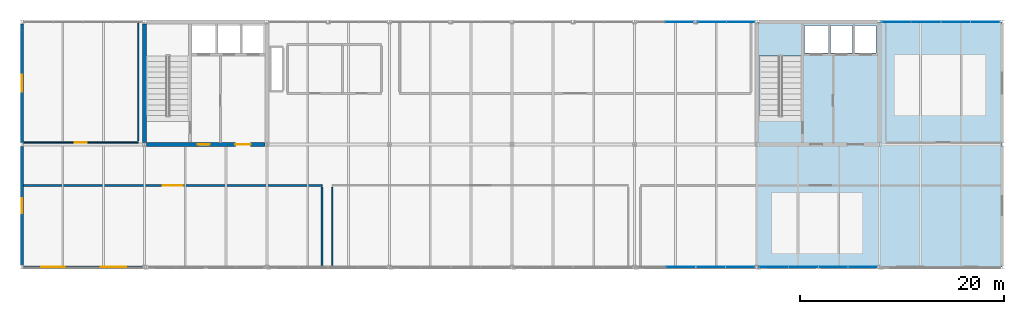
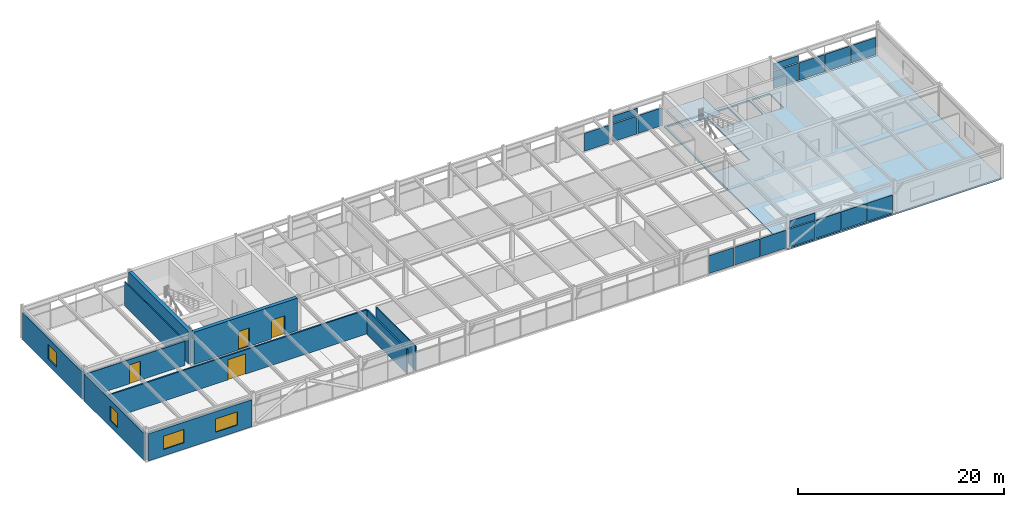
# One storey, part 35 of 40: 17 plates, 10 walls, 4 doors, 4 windows, 2 slabs, 8 openings, 6 elements without a shape of their own.
"""IFC4 building model written with IfcOpenShell, lengths in metres."""

import ifcopenshell
import ifcopenshell.guid

model = None  # the IFC model being written
_history = None  # IfcOwnerHistory: only IFC2X3 demands one
_inside = {}  # id of a spatial element -> (the spatial element, [elements in it])
_under = {}  # id of a project, library or spatial element -> (it, [spatial elements below it])
_declared = {}  # id of a project -> (the project, [libraries it declares])
_typed = {}  # id of a type object -> (the type object, [elements of that type])
_made_of = {}  # id of a material, layer set ... -> (it, [elements and type objects made of it])


def new_model(schema):
    """Start an empty IFC model of exactly this schema.

    Asked for "IFC4X3", IfcOpenShell would pick the latest addendum, in which some entities
    have other attributes; the version numbers below select the first issue.
    IFC2X3 requires an IfcOwnerHistory on every rooted entity: one is made here for all.
    """
    global model, _history
    if schema == "IFC4X3":
        model = ifcopenshell.file(schema_version=(4, 3, 0, 0))
    else:
        model = ifcopenshell.file(schema=schema)
    _inside.clear()
    _under.clear()
    _declared.clear()
    _typed.clear()
    _made_of.clear()
    _history = None
    if model.schema == "IFC2X3":
        org = make("IfcOrganization", Name="unknown")
        user = make(
            "IfcPersonAndOrganization",
            ThePerson=make("IfcPerson", FamilyName="unknown"),
            TheOrganization=org,
        )
        app = make(
            "IfcApplication",
            ApplicationDeveloper=org,
            Version="unknown",
            ApplicationFullName="unknown",
            ApplicationIdentifier="unknown",
        )
        _history = make(
            "IfcOwnerHistory",
            OwningUser=user,
            OwningApplication=app,
            ChangeAction="ADDED",
            CreationDate=0,
        )
    return model


def make(cls, **values):
    """One entity of the class cls with the attributes given. An attribute that is None is left unset."""
    return model.create_entity(
        cls, **{name: value for name, value in values.items() if value is not None}
    )


def rooted(cls, **values):
    """An entity with a GlobalId (a new one), such as an element, a storey or a relation."""
    return make(cls, GlobalId=ifcopenshell.guid.new(), OwnerHistory=_history, **values)


def si_unit(unit_type, name, prefix=None):
    """IfcSIUnit, for example si_unit("LENGTHUNIT", "METRE", prefix="MILLI")."""
    return make("IfcSIUnit", UnitType=unit_type, Prefix=prefix, Name=name)


def assignment(units):
    """IfcUnitAssignment: the units of a project."""
    return None if units is None else make("IfcUnitAssignment", Units=units)


def point(xyz):
    """IfcCartesianPoint."""
    return None if xyz is None else make("IfcCartesianPoint", Coordinates=xyz)


def direction(xyz):
    """IfcDirection."""
    return None if xyz is None else make("IfcDirection", DirectionRatios=xyz)


def frame(location, z_axis=None, x_axis=None):
    """IfcAxis2Placement3D, a coordinate frame: its origin and axes. An axis left out is left unset."""
    return make(
        "IfcAxis2Placement3D",
        Location=point(location),
        Axis=direction(z_axis),
        RefDirection=direction(x_axis),
    )


def frame_2d(location, x_axis=None):
    """IfcAxis2Placement2D, a coordinate frame in the plane: its origin and x axis."""
    return make(
        "IfcAxis2Placement2D", Location=point(location), RefDirection=direction(x_axis)
    )


def origin():
    """The frame at (0, 0, 0) with its axes left unset."""
    return frame((0.0, 0.0, 0.0))


def origin_2d():
    """The frame at (0, 0) in the plane with its x axis left unset."""
    return frame_2d((0.0, 0.0))


def place(relative_to, where):
    """IfcLocalPlacement: puts the frame where relative to a parent placement (None: the world)."""
    return make(
        "IfcLocalPlacement", PlacementRelTo=relative_to, RelativePlacement=where
    )


def context(
    kind, dimensions, precision=None, world=None, true_north=None, identifier=None
):
    """IfcGeometricRepresentationContext, for example the 3D "Model" context."""
    return make(
        "IfcGeometricRepresentationContext",
        ContextIdentifier=identifier,
        ContextType=kind,
        CoordinateSpaceDimension=dimensions,
        Precision=precision,
        WorldCoordinateSystem=world,
        TrueNorth=true_north,
    )


def subcontext(parent, identifier, kind, view, scale=None):
    """IfcGeometricRepresentationSubContext, for example "Body" below "Model"."""
    return make(
        "IfcGeometricRepresentationSubContext",
        ContextIdentifier=identifier,
        ContextType=kind,
        ParentContext=parent,
        TargetScale=scale,
        TargetView=view,
    )


def project(units=None, contexts=None):
    """IfcProject with its units and contexts."""
    return rooted(
        "IfcProject",
        Name="project",
        RepresentationContexts=contexts,
        UnitsInContext=assignment(units),
    )


def spatial(cls, under=None, at=None, **own):
    """A site, building, storey or space (cls), placed at a placement, below another one or the project."""
    s = rooted(cls, ObjectPlacement=at, **own)
    if under is not None:
        _under.setdefault(under.id(), (under, []))[1].append(s)
    return s


def polyline(points):
    """IfcPolyline through the points."""
    return make("IfcPolyline", Points=[point(p) for p in points])


def profile(cls, at=None, kind="AREA", **sizes):
    """A parametric profile (cls). Its sizes go by their IFC names, for example OverallWidth=200.0."""
    return make(cls, ProfileType=kind, Position=at, **sizes)


def rectangle(**sizes):
    """IfcRectangleProfileDef."""
    return profile("IfcRectangleProfileDef", **sizes)


def outline(outer, holes=None, kind="AREA"):
    """IfcArbitraryClosedProfileDef: a profile drawn as a closed curve; with holes, ...WithVoids."""
    if holes is None:
        return make("IfcArbitraryClosedProfileDef", ProfileType=kind, OuterCurve=outer)
    return make(
        "IfcArbitraryProfileDefWithVoids",
        ProfileType=kind,
        OuterCurve=outer,
        InnerCurves=holes,
    )


def extrude(swept, where, along, depth):
    """IfcExtrudedAreaSolid: the profile swept, set in the frame where, extruded along a direction by depth."""
    return make(
        "IfcExtrudedAreaSolid",
        SweptArea=swept,
        Position=where,
        ExtrudedDirection=direction(along),
        Depth=depth,
    )


def shape(context_of_items, identifier, shape_type, items):
    """IfcShapeRepresentation: the items that make up one representation, for example the "Body"."""
    return make(
        "IfcShapeRepresentation",
        ContextOfItems=context_of_items,
        RepresentationIdentifier=identifier,
        RepresentationType=shape_type,
        Items=items,
    )


def material(Name=None, Category=None):
    """IfcMaterial."""
    return make("IfcMaterial", Name=Name, Category=Category)


def layer(
    of_material, thickness, ventilated=None, Name=None, Category=None, Priority=None
):
    """IfcMaterialLayer: one layer of a wall or slab, of a material (None: an air gap)."""
    return make(
        "IfcMaterialLayer",
        Material=of_material,
        LayerThickness=thickness,
        IsVentilated=ventilated,
        Name=Name,
        Category=Category,
        Priority=Priority,
    )


def layer_set(layers, Name=None):
    """IfcMaterialLayerSet."""
    return make("IfcMaterialLayerSet", MaterialLayers=layers, LayerSetName=Name)


def made_of(thing, what):
    """Note that an element or type object is made of a material, layer set ...; save() writes the relation."""
    if what is not None:
        _made_of.setdefault(what.id(), (what, []))[1].append(thing)
    return thing


def type_object(cls, material=None, **own):
    """A type object (cls), such as IfcWallType, which elements share."""
    return made_of(rooted(cls, **own), material)


def element(
    cls,
    number,
    at=None,
    inside=None,
    cuts=None,
    type_object=None,
    material=None,
    context=None,
    identifier="Body",
    shape_type=None,
    held_by="IfcProductDefinitionShape",
    body=None,
    shapes=None,
    **own,
):
    """One element of the class cls, such as IfcWall. Its Tag is "e" and its number.

    at: its placement. inside: the storey or other place that contains it. cuts: it is an
    opening in that element (IfcRelVoidsElement). A single representation is given by context,
    identifier, shape_type and body (its items); several are given by shapes. held_by: the class
    of the entity that holds the representations. save() writes the other relations.
    """
    e = rooted(cls, Tag="e%d" % number, ObjectPlacement=at, **own)
    if body is not None:
        shapes = [shape(context, identifier, shape_type, body)]
    if shapes is not None:
        e.Representation = make(held_by, Representations=shapes)
    if inside is not None:
        _inside.setdefault(inside.id(), (inside, []))[1].append(e)
    if cuts is not None:
        rooted(
            "IfcRelVoidsElement", RelatingBuildingElement=cuts, RelatedOpeningElement=e
        )
    if type_object is not None:
        _typed.setdefault(type_object.id(), (type_object, []))[1].append(e)
    return made_of(e, material)


def fill(opening, filler):
    """IfcRelFillsElement: the door or window that sits in an opening."""
    return rooted(
        "IfcRelFillsElement",
        RelatingOpeningElement=opening,
        RelatedBuildingElement=filler,
    )


def aggregate(whole, parts):
    """IfcRelAggregates: a whole, such as a stair, and the parts it consists of."""
    return rooted("IfcRelAggregates", RelatingObject=whole, RelatedObjects=parts)


def save(model, path):
    """Write the relations noted so far, then the file.

    IfcRelAggregates (storeys below a building ...), IfcRelContainedInSpatialStructure (elements
    in a storey), IfcRelDefinesByType, IfcRelAssociatesMaterial and IfcRelDeclares: one each for
    every whole, place, type object, material and project.
    """
    for whole, parts in _under.values():
        aggregate(whole, parts)
    for where, things in _inside.values():
        rooted(
            "IfcRelContainedInSpatialStructure",
            RelatedElements=things,
            RelatingStructure=where,
        )
    for kind, things in _typed.values():
        rooted("IfcRelDefinesByType", RelatedObjects=things, RelatingType=kind)
    for what, things in _made_of.values():
        rooted("IfcRelAssociatesMaterial", RelatedObjects=things, RelatingMaterial=what)
    for by, libraries in _declared.values():
        rooted("IfcRelDeclares", RelatingContext=by, RelatedDefinitions=libraries)
    model.write(path)


model = new_model("IFC4")

# Units and contexts
model_context = context("Model", 3, precision=1e-05, world=origin(), true_north=direction((0.0, 1.0)))
body_context = subcontext(model_context, "Body", "Model", "MODEL_VIEW")
ifc_project = project(units=[si_unit("LENGTHUNIT", "METRE"), si_unit("AREAUNIT", "SQUARE_METRE"), si_unit("VOLUMEUNIT", "CUBIC_METRE"), si_unit("PLANEANGLEUNIT", "RADIAN"), si_unit("MASSUNIT", "GRAM", prefix="KILO")], contexts=[model_context])

# Site, building, storey
site_placement = place(None, origin())
site = spatial("IfcSite", under=ifc_project, at=site_placement, CompositionType="ELEMENT")
building_placement = place(site_placement, origin())
building = spatial("IfcBuilding", under=site, at=building_placement, Name="Girod Span Mobility Hub", CompositionType="ELEMENT")
storey_placement = place(building_placement, frame((0.0, 0.0, 57.60009765625)))
storey = spatial("IfcBuildingStorey", under=building, at=storey_placement, Name="L14", CompositionType="ELEMENT", Elevation=57.60009765625)

# Curtain wall, plate
ifc_material_1 = material(Name="Thermally Broken Anodised Aluminium", Category="aluminium")
curtain_wall_type_1 = type_object("IfcCurtainWallType", Name="CW-564X331", PredefinedType="USERDEFINED", material=ifc_material_1)
curtain_wall_1_placement = place(storey_placement, origin())
curtain_wall_1 = element("IfcCurtainWall", 1, at=curtain_wall_1_placement, inside=storey, type_object=curtain_wall_type_1, Name="Unitised Curtain Wall CW-L14-N09E L14", ObjectType="UNITISED CURTAIN WALL", PredefinedType="USERDEFINED")
ifc_material_2 = material(Name="Double Low-E Insulated Glazing", Category="glass")
ifc_layer_1 = layer(ifc_material_2, 0.05810546875)
ifc_layer_set_1 = layer_set([ifc_layer_1], Name="Double Low-E Insulated Glazing")
plate_type_1 = type_object("IfcPlateType", Name="PLT-SPN-2748X846X58", PredefinedType="CURTAIN_PANEL", material=ifc_layer_set_1)
plate_1_placement = place(storey_placement, frame((103.59130859375, 69.0, 2.380126953125), z_axis=(0.0, 0.0, 1.0), x_axis=(1.0, 0.0, 0.0)))
plate_1 = element("IfcPlate", 2, at=plate_1_placement, type_object=plate_type_1, Name="Spandrel Glazing Panel CW-L14-N09E-S1", PredefinedType="CURTAIN_PANEL", context=body_context, shape_type="SweptSolid", body=[
    extrude(rectangle(XDim=2.75341796875, YDim=0.05810546875, at=origin_2d()), origin(), (0.0, 0.0, 1.0), 0.8056640625),
])

ifc_material_3 = material(Name="Thermally Broken Anodised Aluminium", Category="aluminium")
curtain_wall_type_2 = type_object("IfcCurtainWallType", Name="CW-1164X322", PredefinedType="USERDEFINED", material=ifc_material_3)
curtain_wall_2_placement = place(storey_placement, origin())
curtain_wall_2 = element("IfcCurtainWall", 3, at=curtain_wall_2_placement, inside=storey, type_object=curtain_wall_type_2, Name="Unitised Curtain Wall CW-L14-N11 L14", ObjectType="UNITISED CURTAIN WALL", PredefinedType="USERDEFINED")
ifc_material_4 = material(Name="Double Low-E Insulated Glazing", Category="glass")
ifc_layer_2 = layer(ifc_material_4, 0.05810546875)
ifc_layer_set_2 = layer_set([ifc_layer_2], Name="Double Low-E Insulated Glazing")
plate_type_2 = type_object("IfcPlateType", Name="PLT-SPN-2839X820X58", PredefinedType="CURTAIN_PANEL", material=ifc_layer_set_2)
plate_2_placement = place(storey_placement, frame((121.636962890625, 69.0, 2.3154296875), z_axis=(0.0, 0.0, 1.0), x_axis=(1.0, 0.0, 0.0)))
plate_2 = element("IfcPlate", 4, at=plate_2_placement, type_object=plate_type_2, Name="Spandrel Glazing Panel CW-L14-N11-S1", PredefinedType="CURTAIN_PANEL", context=body_context, shape_type="SweptSolid", body=[
    extrude(rectangle(XDim=2.8447265625, YDim=0.05810546875, at=origin_2d()), origin(), (0.0, 0.0, 1.0), 0.780517578125),
])

ifc_material_5 = material(Name="Thermally Broken Anodised Aluminium", Category="aluminium")
curtain_wall_type_3 = type_object("IfcCurtainWallType", Name="CW-1164X331", PredefinedType="USERDEFINED", material=ifc_material_5)
curtain_wall_3_placement = place(storey_placement, origin())
curtain_wall_3 = element("IfcCurtainWall", 5, at=curtain_wall_3_placement, inside=storey, type_object=curtain_wall_type_3, Name="Unitised Curtain Wall CW-L14-S10 L14", ObjectType="UNITISED CURTAIN WALL", PredefinedType="USERDEFINED")
ifc_material_6 = material(Name="Double Low-E Insulated Glazing", Category="glass")
ifc_layer_3 = layer(ifc_material_6, 0.05810546875)
ifc_layer_set_3 = layer_set([ifc_layer_3], Name="Double Low-E Insulated Glazing")
plate_type_3 = type_object("IfcPlateType", Name="PLT-SPN-2839X846X58", PredefinedType="CURTAIN_PANEL", material=ifc_layer_set_3)
plate_3_placement = place(storey_placement, frame((109.636962890625, 45.0, 2.380126953125), z_axis=(0.0, 0.0, 1.0), x_axis=(1.0, 0.0, 0.0)))
plate_3 = element("IfcPlate", 6, at=plate_3_placement, type_object=plate_type_3, Name="Spandrel Glazing Panel CW-L14-S10-S1", PredefinedType="CURTAIN_PANEL", context=body_context, shape_type="SweptSolid", body=[
    extrude(rectangle(XDim=2.8447265625, YDim=0.05810546875, at=origin_2d()), origin(), (0.0, 0.0, 1.0), 0.8056640625),
])

curtain_wall_4_placement = place(storey_placement, origin())
curtain_wall_4 = element("IfcCurtainWall", 7, at=curtain_wall_4_placement, inside=storey, type_object=curtain_wall_type_1, Name="Unitised Curtain Wall CW-L14-N09W L14", ObjectType="UNITISED CURTAIN WALL", PredefinedType="USERDEFINED")
ifc_material_7 = material(Name="Double Low-E Insulated Glazing", Category="glass")
ifc_layer_4 = layer(ifc_material_7, 0.0458984375)
ifc_layer_set_4 = layer_set([ifc_layer_4], Name="Double Low-E Insulated Glazing")
plate_type_4 = type_object("IfcPlateType", Name="PLT-VIS-2748X2380X46", PredefinedType="CURTAIN_PANEL", material=ifc_layer_set_4)
plate_4_placement = place(storey_placement, frame((100.40869140625, 69.0, 0.1396484375), z_axis=(0.0, 0.0, 1.0), x_axis=(1.0, 0.0, 0.0)))
plate_4 = element("IfcPlate", 8, at=plate_4_placement, type_object=plate_type_4, Name="Vision Glazing Panel CW-L14-N09W-V2", PredefinedType="CURTAIN_PANEL", context=body_context, shape_type="SweptSolid", body=[
    extrude(rectangle(XDim=2.75341796875, YDim=0.0458984375, at=origin_2d()), origin(), (0.0, 0.0, 1.0), 2.120361328125),
])
aggregate(curtain_wall_4, [plate_4])

# Plate
plate_5_placement = place(storey_placement, frame((103.59130859375, 69.0, 0.1396484375), z_axis=(0.0, 0.0, 1.0), x_axis=(1.0, 0.0, 0.0)))
plate_5 = element("IfcPlate", 9, at=plate_5_placement, type_object=plate_type_4, Name="Vision Glazing Panel CW-L14-N09E-V1", PredefinedType="CURTAIN_PANEL", context=body_context, shape_type="SweptSolid", body=[
    extrude(rectangle(XDim=2.75341796875, YDim=0.0458984375, at=origin_2d()), origin(), (0.0, 0.0, 1.0), 2.120361328125),
])

plate_6_placement = place(storey_placement, frame((106.40869140625, 69.0, 0.1396484375), z_axis=(0.0, 0.0, 1.0), x_axis=(1.0, 0.0, 0.0)))
plate_6 = element("IfcPlate", 10, at=plate_6_placement, type_object=plate_type_4, Name="Vision Glazing Panel CW-L14-N09E-V2", PredefinedType="CURTAIN_PANEL", context=body_context, shape_type="SweptSolid", body=[
    extrude(rectangle(XDim=2.75341796875, YDim=0.0458984375, at=origin_2d()), origin(), (0.0, 0.0, 1.0), 2.120361328125),
])

aggregate(curtain_wall_1, [plate_5, plate_1, plate_6])

ifc_material_8 = material(Name="Double Low-E Insulated Glazing", Category="glass")
ifc_layer_5 = layer(ifc_material_8, 0.0458984375)
ifc_layer_set_5 = layer_set([ifc_layer_5], Name="Double Low-E Insulated Glazing")
plate_type_5 = type_object("IfcPlateType", Name="PLT-VIS-2839X2316X46", PredefinedType="CURTAIN_PANEL", material=ifc_layer_set_5)
plate_7_placement = place(storey_placement, frame((121.636962890625, 69.0, 0.14013671875), z_axis=(0.0, 0.0, 1.0), x_axis=(1.0, 0.0, 0.0)))
plate_7 = element("IfcPlate", 11, at=plate_7_placement, type_object=plate_type_5, Name="Vision Glazing Panel CW-L14-N11-V1", PredefinedType="CURTAIN_PANEL", context=body_context, shape_type="SweptSolid", body=[
    extrude(rectangle(XDim=2.8447265625, YDim=0.0458984375, at=origin_2d()), origin(), (0.0, 0.0, 1.0), 2.055419921875),
])

plate_8_placement = place(storey_placement, frame((124.545654296875, 69.0, 0.14013671875), z_axis=(0.0, 0.0, 1.0), x_axis=(1.0, 0.0, 0.0)))
plate_8 = element("IfcPlate", 12, at=plate_8_placement, type_object=plate_type_5, Name="Vision Glazing Panel CW-L14-N11-V2", PredefinedType="CURTAIN_PANEL", context=body_context, shape_type="SweptSolid", body=[
    extrude(rectangle(XDim=2.8447265625, YDim=0.0458984375, at=origin_2d()), origin(), (0.0, 0.0, 1.0), 2.055419921875),
])

plate_9_placement = place(storey_placement, frame((127.454345703125, 69.0, 0.14013671875), z_axis=(0.0, 0.0, 1.0), x_axis=(1.0, 0.0, 0.0)))
plate_9 = element("IfcPlate", 13, at=plate_9_placement, type_object=plate_type_5, Name="Vision Glazing Panel CW-L14-N11-V3", PredefinedType="CURTAIN_PANEL", context=body_context, shape_type="SweptSolid", body=[
    extrude(rectangle(XDim=2.8447265625, YDim=0.0458984375, at=origin_2d()), origin(), (0.0, 0.0, 1.0), 2.055419921875),
])

plate_10_placement = place(storey_placement, frame((130.363037109375, 69.0, 0.14013671875), z_axis=(0.0, 0.0, 1.0), x_axis=(1.0, 0.0, 0.0)))
plate_10 = element("IfcPlate", 14, at=plate_10_placement, type_object=plate_type_5, Name="Vision Glazing Panel CW-L14-N11-V4", PredefinedType="CURTAIN_PANEL", context=body_context, shape_type="SweptSolid", body=[
    extrude(rectangle(XDim=2.8447265625, YDim=0.0458984375, at=origin_2d()), origin(), (0.0, 0.0, 1.0), 2.055419921875),
])

aggregate(curtain_wall_2, [plate_7, plate_2, plate_8, plate_9, plate_10])

# Curtain wall, plates
curtain_wall_5_placement = place(storey_placement, origin())
curtain_wall_5 = element("IfcCurtainWall", 15, at=curtain_wall_5_placement, inside=storey, type_object=curtain_wall_type_3, Name="Unitised Curtain Wall CW-L14-S09 L14", ObjectType="UNITISED CURTAIN WALL", PredefinedType="USERDEFINED")
ifc_material_9 = material(Name="Double Low-E Insulated Glazing", Category="glass")
ifc_layer_6 = layer(ifc_material_9, 0.0458984375)
ifc_layer_set_6 = layer_set([ifc_layer_6], Name="Double Low-E Insulated Glazing")
plate_type_6 = type_object("IfcPlateType", Name="PLT-VIS-2839X2380X46", PredefinedType="CURTAIN_PANEL", material=ifc_layer_set_6)
plate_11_placement = place(storey_placement, frame((100.545654296875, 45.0, 0.1396484375), z_axis=(0.0, 0.0, 1.0), x_axis=(1.0, 0.0, 0.0)))
plate_11 = element("IfcPlate", 16, at=plate_11_placement, type_object=plate_type_6, Name="Vision Glazing Panel CW-L14-S09-V2", PredefinedType="CURTAIN_PANEL", context=body_context, shape_type="SweptSolid", body=[
    extrude(rectangle(XDim=2.8447265625, YDim=0.0458984375, at=origin_2d()), origin(), (0.0, 0.0, 1.0), 2.120361328125),
])
plate_12_placement = place(storey_placement, frame((103.454345703125, 45.0, 0.1396484375), z_axis=(0.0, 0.0, 1.0), x_axis=(1.0, 0.0, 0.0)))
plate_12 = element("IfcPlate", 17, at=plate_12_placement, type_object=plate_type_6, Name="Vision Glazing Panel CW-L14-S09-V3", PredefinedType="CURTAIN_PANEL", context=body_context, shape_type="SweptSolid", body=[
    extrude(rectangle(XDim=2.8447265625, YDim=0.0458984375, at=origin_2d()), origin(), (0.0, 0.0, 1.0), 2.120361328125),
])
plate_13_placement = place(storey_placement, frame((106.363037109375, 45.0, 0.1396484375), z_axis=(0.0, 0.0, 1.0), x_axis=(1.0, 0.0, 0.0)))
plate_13 = element("IfcPlate", 18, at=plate_13_placement, type_object=plate_type_6, Name="Vision Glazing Panel CW-L14-S09-V4", PredefinedType="CURTAIN_PANEL", context=body_context, shape_type="SweptSolid", body=[
    extrude(rectangle(XDim=2.8447265625, YDim=0.0458984375, at=origin_2d()), origin(), (0.0, 0.0, 1.0), 2.120361328125),
])
aggregate(curtain_wall_5, [plate_11, plate_12, plate_13])

# Plate
plate_14_placement = place(storey_placement, frame((109.636962890625, 45.0, 0.1396484375), z_axis=(0.0, 0.0, 1.0), x_axis=(1.0, 0.0, 0.0)))
plate_14 = element("IfcPlate", 19, at=plate_14_placement, type_object=plate_type_6, Name="Vision Glazing Panel CW-L14-S10-V1", PredefinedType="CURTAIN_PANEL", context=body_context, shape_type="SweptSolid", body=[
    extrude(rectangle(XDim=2.8447265625, YDim=0.0458984375, at=origin_2d()), origin(), (0.0, 0.0, 1.0), 2.120361328125),
])

plate_15_placement = place(storey_placement, frame((112.545654296875, 45.0, 0.1396484375), z_axis=(0.0, 0.0, 1.0), x_axis=(1.0, 0.0, 0.0)))
plate_15 = element("IfcPlate", 20, at=plate_15_placement, type_object=plate_type_6, Name="Vision Glazing Panel CW-L14-S10-V2", PredefinedType="CURTAIN_PANEL", context=body_context, shape_type="SweptSolid", body=[
    extrude(rectangle(XDim=2.8447265625, YDim=0.0458984375, at=origin_2d()), origin(), (0.0, 0.0, 1.0), 2.120361328125),
])

plate_16_placement = place(storey_placement, frame((115.454345703125, 45.0, 0.1396484375), z_axis=(0.0, 0.0, 1.0), x_axis=(1.0, 0.0, 0.0)))
plate_16 = element("IfcPlate", 21, at=plate_16_placement, type_object=plate_type_6, Name="Vision Glazing Panel CW-L14-S10-V3", PredefinedType="CURTAIN_PANEL", context=body_context, shape_type="SweptSolid", body=[
    extrude(rectangle(XDim=2.8447265625, YDim=0.0458984375, at=origin_2d()), origin(), (0.0, 0.0, 1.0), 2.120361328125),
])

plate_17_placement = place(storey_placement, frame((118.363037109375, 45.0, 0.1396484375), z_axis=(0.0, 0.0, 1.0), x_axis=(1.0, 0.0, 0.0)))
plate_17 = element("IfcPlate", 22, at=plate_17_placement, type_object=plate_type_6, Name="Vision Glazing Panel CW-L14-S10-V4", PredefinedType="CURTAIN_PANEL", context=body_context, shape_type="SweptSolid", body=[
    extrude(rectangle(XDim=2.8447265625, YDim=0.0458984375, at=origin_2d()), origin(), (0.0, 0.0, 1.0), 2.120361328125),
])

aggregate(curtain_wall_3, [plate_14, plate_3, plate_15, plate_16, plate_17])

# Slab
ifc_material_10 = material(Name="Concrete C40/50", Category="concrete")
ifc_layer_7 = layer(ifc_material_10, 0.18505859375)
ifc_layer_set_7 = layer_set([ifc_layer_7], Name="Concrete C40/50")
slab_type_1 = type_object("IfcSlabType", Name="SL-FLR-185", PredefinedType="FLOOR", material=ifc_layer_set_7)
slab_1_placement = place(storey_placement, frame((0.0, 0.0, -0.18505859375)))
element("IfcSlab", 23, at=slab_1_placement, inside=storey, type_object=slab_type_1, Name="Floor Slab L14 Sector E", PredefinedType="FLOOR", context=body_context, shape_type="SweptSolid", body=[
    extrude(outline(polyline([(132.0, 69.0), (132.0, 45.0), (108.0, 45.0), (108.0, 69.0), (132.0, 69.0)]), holes=[polyline([(108.219970703125, 59.8349609375), (112.340087890625, 59.8349609375), (112.340087890625, 68.820068359375), (108.219970703125, 68.820068359375), (108.219970703125, 59.8349609375)]), polyline([(112.64990234375, 65.949951171875), (114.949951171875, 65.949951171875), (114.949951171875, 68.64990234375), (112.64990234375, 68.64990234375), (112.64990234375, 65.949951171875)]), polyline([(115.199951171875, 68.64990234375), (115.199951171875, 65.949951171875), (117.35009765625, 65.949951171875), (117.35009765625, 68.64990234375), (115.199951171875, 68.64990234375)]), polyline([(117.60009765625, 68.64990234375), (117.60009765625, 65.949951171875), (119.64990234375, 65.949951171875), (119.64990234375, 68.64990234375), (117.60009765625, 68.64990234375)])]), origin(), (0.0, 0.0, 1.0), 0.18505859375),
])

# Stair, slab
ifc_material_11 = material(Name="Concrete C40/50", Category="concrete")
stair_type = type_object("IfcStairType", Name="STR-4000-W1860", PredefinedType="HALF_TURN_STAIR", material=ifc_material_11)
stair_placement = place(storey_placement, origin())
stair = element("IfcStair", 24, at=stair_placement, inside=storey, type_object=stair_type, Name="Exit Stair ST-2 L14", PredefinedType="HALF_TURN_STAIR")
ifc_material_12 = material(Name="Concrete C40/50", Category="concrete")
ifc_layer_8 = layer(ifc_material_12, 0.35498046875)
ifc_layer_set_8 = layer_set([ifc_layer_8], Name="Concrete C40/50")
slab_type_2 = type_object("IfcSlabType", Name="SL-LND-355", PredefinedType="LANDING", material=ifc_layer_set_8)
slab_2_placement = place(storey_placement, frame((0.0, 0.0, 1.64501953125)))
slab_2 = element("IfcSlab", 25, at=slab_2_placement, type_object=slab_type_2, Name="Stair ST-2 Half-Landing L14", PredefinedType="LANDING", context=body_context, shape_type="SweptSolid", body=[
    extrude(outline(polyline([(112.3349609375, 65.68603515625), (112.3349609375, 68.8349609375), (108.1650390625, 68.8349609375), (108.1650390625, 65.68603515625), (112.3349609375, 65.68603515625)])), origin(), (0.0, 0.0, 1.0), 0.35498046875),
])
aggregate(stair, [slab_2])

# Wall, openings, doors
ifc_material_13 = material(Name="Concrete C40/50", Category="concrete")
ifc_layer_9 = layer(ifc_material_13, 0.39990234375)
ifc_layer_set_9 = layer_set([ifc_layer_9], Name="Concrete C40/50")
wall_type_1 = type_object("IfcWallType", Name="W-CW-400", PredefinedType="SHEAR", material=ifc_layer_set_9)
wall_1_placement = place(storey_placement, frame((48.194091796875, 57.0, 0.0), z_axis=(0.0, 0.0, 1.0), x_axis=(1.0, 0.0, 0.0)))
wall_1 = element("IfcWall", 26, at=wall_1_placement, inside=storey, type_object=wall_type_1, Name="Core C1 Shear Wall S L14", PredefinedType="SHEAR", context=body_context, shape_type="SweptSolid", body=[
    extrude(rectangle(XDim=11.61181640625, YDim=0.39990234375, at=frame_2d((5.805908203125, 0.0))), origin(), (0.0, 0.0, 1.0), 3.852783203125),
])
opening_1_placement = place(wall_1_placement, frame((5.006103515625, 0.0, 0.0)))
opening_1 = element("IfcOpeningElement", 27, at=opening_1_placement, cuts=wall_1, Name="Opening D-FL-C1-L14", PredefinedType="OPENING", context=body_context, shape_type="SweptSolid", body=[
    extrude(rectangle(XDim=1.199951171875, YDim=2.199951171875, at=frame_2d((0.60009765625, 1.10009765625))), frame((0.0, 0.21484375, 0.0), z_axis=(0.0, -1.0, 0.0), x_axis=(1.0, 0.0, 0.0)), (0.0, 0.0, 1.0), 0.429931640625),
])
opening_2_placement = place(wall_1_placement, frame((8.7060546875, 0.0, 0.0)))
opening_2 = element("IfcOpeningElement", 28, at=opening_2_placement, cuts=wall_1, Name="Opening D-LB-C1-L14", PredefinedType="OPENING", context=body_context, shape_type="SweptSolid", body=[
    extrude(rectangle(XDim=1.5, YDim=2.25, at=frame_2d((0.75, 1.125))), frame((0.0, 0.21484375, 0.0), z_axis=(0.0, -1.0, 0.0), x_axis=(1.0, 0.0, 0.0)), (0.0, 0.0, 1.0), 0.429931640625),
])
ifc_material_14 = material(Name="Fire-Rated Insulated Hollow Metal Steel", Category="steel")
door_type_1 = type_object("IfcDoorType", Name="DT-FD-03", OperationType="DOUBLE_DOOR_SINGLE_SWING", PredefinedType="DOOR", material=ifc_material_14)
door_1_placement = place(opening_2_placement, origin())
door_1 = element("IfcDoor", 29, at=door_1_placement, inside=storey, type_object=door_type_1, Name="Lift Lobby Entry Door C1 L14", OperationType="DOUBLE_DOOR_SINGLE_SWING", OverallHeight=2.25, OverallWidth=1.5, PredefinedType="DOOR", context=body_context, shape_type="SweptSolid", body=[
    extrude(rectangle(XDim=1.5, YDim=2.25, at=frame_2d((0.75, 1.125))), frame((0.0, 0.02490234375, 0.0), z_axis=(0.0, -1.0, 0.0), x_axis=(1.0, 0.0, 0.0)), (0.0, 0.0, 1.0), 0.050048828125),
])
fill(opening_2, door_1)
ifc_material_15 = material(Name="Fire-Rated Insulated Hollow Metal Steel", Category="steel")
door_type_2 = type_object("IfcDoorType", Name="DT-FD-05", OperationType="NOTDEFINED", PredefinedType="DOOR", material=ifc_material_15)
door_2_placement = place(opening_1_placement, origin())
door_2 = element("IfcDoor", 30, at=door_2_placement, inside=storey, type_object=door_type_2, Name="Firefighting Lobby Entry Door C1 L14", OperationType="SINGLE_SWING_RIGHT", OverallHeight=2.199951171875, OverallWidth=1.199951171875, PredefinedType="DOOR", context=body_context, shape_type="SweptSolid", body=[
    extrude(rectangle(XDim=1.199951171875, YDim=2.199951171875, at=frame_2d((0.60009765625, 1.10009765625))), frame((0.0, 0.02490234375, 0.0), z_axis=(0.0, -1.0, 0.0), x_axis=(1.0, 0.0, 0.0)), (0.0, 0.0, 1.0), 0.050048828125),
])
fill(opening_1, door_2)

# Wall
wall_2_placement = place(storey_placement, frame((48.0, 57.1845703125, 0.0), z_axis=(0.0, 0.0, 1.0), x_axis=(0.0, 1.0, 0.0)))
element("IfcWall", 31, at=wall_2_placement, inside=storey, type_object=wall_type_1, Name="Core C1 Shear Wall W L14", PredefinedType="SHEAR", context=body_context, shape_type="SweptSolid", body=[
    extrude(rectangle(XDim=11.640380859375, YDim=0.39990234375, at=frame_2d((5.8203125, 0.0))), origin(), (0.0, 0.0, 1.0), 3.852783203125),
])

# Wall, openings, windows
ifc_material_16 = material(Name="Precast Architectural Concrete C40/50", Category="concrete")
ifc_layer_10 = layer(ifc_material_16, 0.235107421875)
ifc_layer_set_10 = layer_set([ifc_layer_10], Name="Precast Architectural Concrete C40/50")
wall_type_2 = type_object("IfcWallType", Name="W-EXT-235", PredefinedType="SOLIDWALL", material=ifc_layer_set_10)
wall_3_placement = place(storey_placement, frame((36.1826171875, 45.0, 0.0), z_axis=(0.0, 0.0, 1.0), x_axis=(1.0, 0.0, 0.0)))
wall_3 = element("IfcWall", 32, at=wall_3_placement, inside=storey, type_object=wall_type_2, Name="Office Insulated Facade Wall S-4 L14", PredefinedType="SOLIDWALL", context=body_context, shape_type="SweptSolid", body=[
    extrude(rectangle(XDim=11.634765625, YDim=0.235107421875, at=frame_2d((5.8173828125, 0.0))), origin(), (0.0, 0.0, 1.0), 3.2158203125),
])
opening_3_placement = place(wall_3_placement, frame((1.699951171875, 0.0, 0.780029296875)))
opening_3 = element("IfcOpeningElement", 33, at=opening_3_placement, cuts=wall_3, Name="Opening W-L14-S3A", PredefinedType="OPENING", context=body_context, shape_type="SweptSolid", body=[
    extrude(rectangle(XDim=2.300048828125, YDim=1.580078125, at=frame_2d((1.14990234375, 0.7900390625))), frame((0.0, 0.132568359375, 0.0), z_axis=(0.0, -1.0, 0.0), x_axis=(1.0, 0.0, 0.0)), (0.0, 0.0, 1.0), 0.26513671875),
])
opening_4_placement = place(wall_3_placement, frame((7.554931640625, 0.0, 0.780029296875)))
opening_4 = element("IfcOpeningElement", 34, at=opening_4_placement, cuts=wall_3, Name="Opening W-L14-S3B", PredefinedType="OPENING", context=body_context, shape_type="SweptSolid", body=[
    extrude(rectangle(XDim=2.4599609375, YDim=1.580078125, at=frame_2d((1.22998046875, 0.7900390625))), frame((0.0, 0.132568359375, 0.0), z_axis=(0.0, -1.0, 0.0), x_axis=(1.0, 0.0, 0.0)), (0.0, 0.0, 1.0), 0.26513671875),
])
ifc_material_17 = material(Name="Double Low-E Insulated Glazing", Category="glass")
window_type_1 = type_object("IfcWindowType", Name="WN-28", PartitioningType="DOUBLE_PANEL_VERTICAL", PredefinedType="WINDOW", material=ifc_material_17)
window_1_placement = place(opening_3_placement, origin())
window_1 = element("IfcWindow", 35, at=window_1_placement, inside=storey, type_object=window_type_1, Name="Office Window WN-28", OverallHeight=1.580078125, OverallWidth=2.300048828125, PartitioningType="DOUBLE_PANEL_VERTICAL", PredefinedType="WINDOW", context=body_context, shape_type="SweptSolid", body=[
    extrude(rectangle(XDim=2.300048828125, YDim=1.580078125, at=frame_2d((1.14990234375, 0.7900390625))), frame((0.0, 0.030029296875, 0.0), z_axis=(0.0, -1.0, 0.0), x_axis=(1.0, 0.0, 0.0)), (0.0, 0.0, 1.0), 0.06005859375),
])
fill(opening_3, window_1)
ifc_material_18 = material(Name="Double Low-E Insulated Glazing", Category="glass")
window_type_2 = type_object("IfcWindowType", Name="WN-29", PartitioningType="DOUBLE_PANEL_VERTICAL", PredefinedType="WINDOW", material=ifc_material_18)
window_2_placement = place(opening_4_placement, origin())
window_2 = element("IfcWindow", 36, at=window_2_placement, inside=storey, type_object=window_type_2, Name="Office Window WN-29", OverallHeight=1.580078125, OverallWidth=2.4599609375, PartitioningType="DOUBLE_PANEL_VERTICAL", PredefinedType="WINDOW", context=body_context, shape_type="SweptSolid", body=[
    extrude(rectangle(XDim=2.4599609375, YDim=1.580078125, at=frame_2d((1.22998046875, 0.7900390625))), frame((0.0, 0.030029296875, 0.0), z_axis=(0.0, -1.0, 0.0), x_axis=(1.0, 0.0, 0.0)), (0.0, 0.0, 1.0), 0.06005859375),
])
fill(opening_4, window_2)

# Wall, opening, window
ifc_material_19 = material(Name="Precast Architectural Concrete C40/50", Category="concrete")
ifc_layer_11 = layer(ifc_material_19, 0.27001953125)
ifc_layer_set_11 = layer_set([ifc_layer_11], Name="Precast Architectural Concrete C40/50")
wall_type_3 = type_object("IfcWallType", Name="W-EXT-270", PredefinedType="SOLIDWALL", material=ifc_layer_set_11)
wall_4_placement = place(storey_placement, frame((36.0, 45.176025390625, 0.0), z_axis=(0.0, 0.0, 1.0), x_axis=(0.0, 1.0, 0.0)))
wall_4 = element("IfcWall", 37, at=wall_4_placement, inside=storey, type_object=wall_type_3, Name="End Facade Insulated Wall W-D L14", PredefinedType="SOLIDWALL", context=body_context, shape_type="SweptSolid", body=[
    extrude(rectangle(XDim=11.64794921875, YDim=0.27001953125, at=frame_2d((5.823974609375, 0.0))), origin(), (0.0, 0.0, 1.0), 3.2158203125),
])
opening_5_placement = place(wall_4_placement, frame((5.093994140625, 0.0, 0.780029296875)))
opening_5 = element("IfcOpeningElement", 38, at=opening_5_placement, cuts=wall_4, Name="Opening W-L14-W3", PredefinedType="OPENING", context=body_context, shape_type="SweptSolid", body=[
    extrude(rectangle(XDim=1.4599609375, YDim=1.739990234375, at=frame_2d((0.72998046875, 0.8701171875))), frame((0.0, 0.14990234375, 0.0), z_axis=(0.0, -1.0, 0.0), x_axis=(1.0, 0.0, 0.0)), (0.0, 0.0, 1.0), 0.300048828125),
])
ifc_material_20 = material(Name="Double Low-E Insulated Glazing", Category="glass")
window_type_3 = type_object("IfcWindowType", Name="WN-32", PartitioningType="SINGLE_PANEL", PredefinedType="WINDOW", material=ifc_material_20)
window_3_placement = place(opening_5_placement, origin())
window_3 = element("IfcWindow", 39, at=window_3_placement, inside=storey, type_object=window_type_3, Name="End Office Window WN-32", OverallHeight=1.739990234375, OverallWidth=1.4599609375, PartitioningType="SINGLE_PANEL", PredefinedType="WINDOW", context=body_context, shape_type="SweptSolid", body=[
    extrude(rectangle(XDim=1.4599609375, YDim=1.739990234375, at=frame_2d((0.72998046875, 0.8701171875))), frame((0.0, 0.030029296875, 0.0), z_axis=(0.0, -1.0, 0.0), x_axis=(1.0, 0.0, 0.0)), (0.0, 0.0, 1.0), 0.06005859375),
])
fill(opening_5, window_3)

wall_5_placement = place(storey_placement, frame((36.0, 57.176025390625, 0.0), z_axis=(0.0, 0.0, 1.0), x_axis=(0.0, 1.0, 0.0)))
wall_5 = element("IfcWall", 40, at=wall_5_placement, inside=storey, type_object=wall_type_3, Name="End Facade Insulated Wall W-E L14", PredefinedType="SOLIDWALL", context=body_context, shape_type="SweptSolid", body=[
    extrude(rectangle(XDim=11.64794921875, YDim=0.27001953125, at=frame_2d((5.823974609375, 0.0))), origin(), (0.0, 0.0, 1.0), 3.2158203125),
])
opening_6_placement = place(wall_5_placement, frame((5.00390625, 0.0, 0.780029296875)))
opening_6 = element("IfcOpeningElement", 41, at=opening_6_placement, cuts=wall_5, Name="Opening W-L14-W4", PredefinedType="OPENING", context=body_context, shape_type="SweptSolid", body=[
    extrude(rectangle(XDim=1.639892578125, YDim=1.739990234375, at=frame_2d((0.81982421875, 0.8701171875))), frame((0.0, 0.14990234375, 0.0), z_axis=(0.0, -1.0, 0.0), x_axis=(1.0, 0.0, 0.0)), (0.0, 0.0, 1.0), 0.300048828125),
])
ifc_material_21 = material(Name="Double Low-E Insulated Glazing", Category="glass")
window_type_4 = type_object("IfcWindowType", Name="WN-33", PartitioningType="SINGLE_PANEL", PredefinedType="WINDOW", material=ifc_material_21)
window_4_placement = place(opening_6_placement, origin())
window_4 = element("IfcWindow", 42, at=window_4_placement, inside=storey, type_object=window_type_4, Name="End Office Window WN-33", OverallHeight=1.739990234375, OverallWidth=1.639892578125, PartitioningType="SINGLE_PANEL", PredefinedType="WINDOW", context=body_context, shape_type="SweptSolid", body=[
    extrude(rectangle(XDim=1.639892578125, YDim=1.739990234375, at=frame_2d((0.81982421875, 0.8701171875))), frame((0.0, 0.030029296875, 0.0), z_axis=(0.0, -1.0, 0.0), x_axis=(1.0, 0.0, 0.0)), (0.0, 0.0, 1.0), 0.06005859375),
])
fill(opening_6, window_4)

# Wall, opening, door
ifc_material_22 = material(Name="Fire-Rated Gypsum Board on Metal Studs", Category="gypsum")
ifc_layer_12 = layer(ifc_material_22, 0.1650390625)
ifc_layer_set_12 = layer_set([ifc_layer_12], Name="Fire-Rated Gypsum Board on Metal Studs")
wall_type_4 = type_object("IfcWallType", Name="W-FP-165", PredefinedType="PARTITIONING", material=ifc_layer_set_12)
wall_6_placement = place(storey_placement, frame((36.139892578125, 53.0, 0.0), z_axis=(0.0, 0.0, 1.0), x_axis=(1.0, 0.0, 0.0)))
wall_6 = element("IfcWall", 43, at=wall_6_placement, inside=storey, type_object=wall_type_4, Name="Data Lab Mobility Simulation Partition N", PredefinedType="PARTITIONING", context=body_context, shape_type="SweptSolid", body=[
    extrude(rectangle(XDim=29.260009765625, YDim=0.1650390625, at=frame_2d((14.6298828125, 0.0))), origin(), (0.0, 0.0, 1.0), 2.8798828125),
])
opening_7_placement = place(wall_6_placement, frame((13.639892578125, 0.0, 0.0)))
opening_7 = element("IfcOpeningElement", 44, at=opening_7_placement, cuts=wall_6, Name="Opening D-L14-DLAB-W", PredefinedType="OPENING", context=body_context, shape_type="SweptSolid", body=[
    extrude(rectangle(XDim=1.97998046875, YDim=2.39990234375, at=frame_2d((0.989990234375, 1.199951171875))), frame((0.0, 0.097412109375, 0.0), z_axis=(0.0, -1.0, 0.0), x_axis=(1.0, 0.0, 0.0)), (0.0, 0.0, 1.0), 0.195068359375),
])
ifc_material_23 = material(Name="Fire-Rated Insulated Hollow Metal Steel", Category="steel")
door_type_3 = type_object("IfcDoorType", Name="DT-FD-11", OperationType="DOUBLE_DOOR_SINGLE_SWING", PredefinedType="DOOR", material=ifc_material_23)
door_3_placement = place(opening_7_placement, origin())
door_3 = element("IfcDoor", 45, at=door_3_placement, inside=storey, type_object=door_type_3, Name="Data Lab Mobility Simulation Door", OperationType="DOUBLE_DOOR_SINGLE_SWING", OverallHeight=2.39990234375, OverallWidth=1.97998046875, PredefinedType="DOOR", context=body_context, shape_type="SweptSolid", body=[
    extrude(rectangle(XDim=1.97998046875, YDim=2.39990234375, at=frame_2d((0.989990234375, 1.199951171875))), frame((0.0, 0.02490234375, 0.0), z_axis=(0.0, -1.0, 0.0), x_axis=(1.0, 0.0, 0.0)), (0.0, 0.0, 1.0), 0.050048828125),
])
fill(opening_7, door_3)

# Walls
wall_7_placement = place(storey_placement, frame((65.39990234375, 45.139892578125, 0.0), z_axis=(0.0, 0.0, 1.0), x_axis=(0.0, 1.0, 0.0)))
element("IfcWall", 46, at=wall_7_placement, inside=storey, type_object=wall_type_4, Name="Data Lab Mobility Simulation Partition E", PredefinedType="PARTITIONING", context=body_context, shape_type="SweptSolid", body=[
    extrude(rectangle(XDim=7.7001953125, YDim=0.1650390625, at=frame_2d((3.85009765625, 0.0))), origin(), (0.0, 0.0, 1.0), 2.8798828125),
])
ifc_material_24 = material(Name="Gypsum Acoustic Operable Panel on Galvanised Steel Framing", Category="steel")
ifc_layer_13 = layer(ifc_material_24, 0.10791015625)
ifc_layer_set_13 = layer_set([ifc_layer_13], Name="Gypsum Acoustic Operable Panel on Galvanised Steel Framing")
wall_type_5 = type_object("IfcWallType", Name="W-MOV-108", PredefinedType="MOVABLE", material=ifc_layer_set_13)
wall_8_placement = place(storey_placement, frame((66.39990234375, 45.139892578125, 0.0), z_axis=(0.0, 0.0, 1.0), x_axis=(0.0, 1.0, 0.0)))
element("IfcWall", 47, at=wall_8_placement, inside=storey, type_object=wall_type_5, Name="Conference Room Analytics Partition W", PredefinedType="MOVABLE", context=body_context, shape_type="SweptSolid", body=[
    extrude(rectangle(XDim=7.7001953125, YDim=0.10791015625, at=frame_2d((3.85009765625, 0.0))), origin(), (0.0, 0.0, 1.0), 2.8798828125),
])

# Wall, opening, door
ifc_material_25 = material(Name="Fire-Rated Gypsum Board on Metal Studs", Category="gypsum")
ifc_layer_14 = layer(ifc_material_25, 0.125)
ifc_layer_set_14 = layer_set([ifc_layer_14], Name="Fire-Rated Gypsum Board on Metal Studs")
wall_type_6 = type_object("IfcWallType", Name="W-PT-125", PredefinedType="PARTITIONING", material=ifc_layer_set_14)
wall_9_placement = place(storey_placement, frame((36.139892578125, 57.199951171875, 0.0), z_axis=(0.0, 0.0, 1.0), x_axis=(1.0, 0.0, 0.0)))
wall_9 = element("IfcWall", 48, at=wall_9_placement, inside=storey, type_object=wall_type_6, Name="Office Suite Research West Partition S", PredefinedType="PARTITIONING", context=body_context, shape_type="SweptSolid", body=[
    extrude(rectangle(XDim=11.260009765625, YDim=0.125, at=frame_2d((5.6298828125, 0.0))), origin(), (0.0, 0.0, 1.0), 2.8798828125),
])
opening_8_placement = place(wall_9_placement, frame((5.02490234375, 0.0, 0.0)))
opening_8 = element("IfcOpeningElement", 49, at=opening_8_placement, cuts=wall_9, Name="Opening D-L14-OFF-14NW", PredefinedType="OPENING", context=body_context, shape_type="SweptSolid", body=[
    extrude(rectangle(XDim=1.2099609375, YDim=2.25, at=frame_2d((0.60498046875, 1.125))), frame((0.0, 0.077392578125, 0.0), z_axis=(0.0, -1.0, 0.0), x_axis=(1.0, 0.0, 0.0)), (0.0, 0.0, 1.0), 0.155029296875),
])
ifc_material_26 = material(Name="Solid-Core Architectural Timber", Category="wood")
door_type_4 = type_object("IfcDoorType", Name="DT-NR-08", OperationType="NOTDEFINED", PredefinedType="DOOR", material=ifc_material_26)
door_4_placement = place(opening_8_placement, origin())
door_4 = element("IfcDoor", 50, at=door_4_placement, inside=storey, type_object=door_type_4, Name="Office Suite Research West Door", OperationType="SINGLE_SWING_RIGHT", OverallHeight=2.25, OverallWidth=1.2099609375, PredefinedType="DOOR", context=body_context, shape_type="SweptSolid", body=[
    extrude(rectangle(XDim=1.2099609375, YDim=2.25, at=frame_2d((0.60498046875, 1.125))), frame((0.0, 0.02490234375, 0.0), z_axis=(0.0, -1.0, 0.0), x_axis=(1.0, 0.0, 0.0)), (0.0, 0.0, 1.0), 0.050048828125),
])
fill(opening_8, door_4)

# Wall
wall_10_placement = place(storey_placement, frame((47.39990234375, 57.360107421875, 0.0), z_axis=(0.0, 0.0, 1.0), x_axis=(0.0, 1.0, 0.0)))
element("IfcWall", 51, at=wall_10_placement, inside=storey, type_object=wall_type_6, Name="Office Suite Research West Partition E", PredefinedType="PARTITIONING", context=body_context, shape_type="SweptSolid", body=[
    extrude(rectangle(XDim=11.5, YDim=0.125, at=frame_2d((5.75, 0.0))), origin(), (0.0, 0.0, 1.0), 2.8798828125),
])

save(model, "model.ifc")
